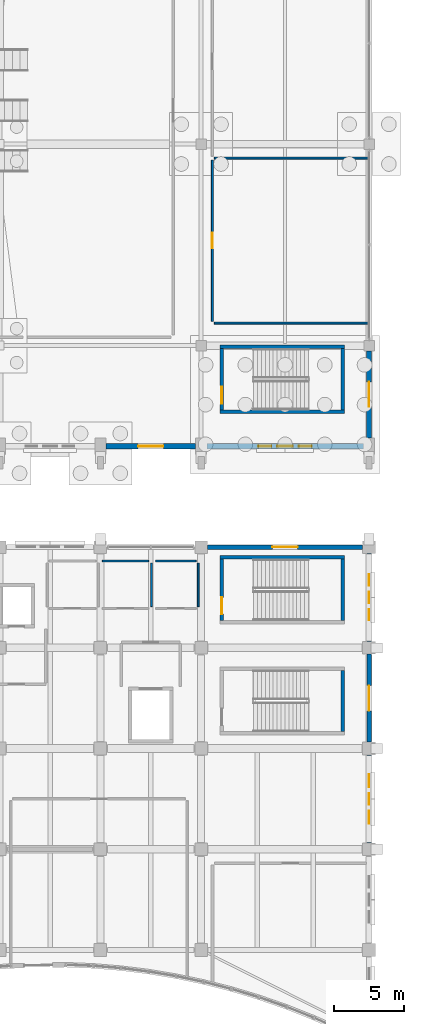
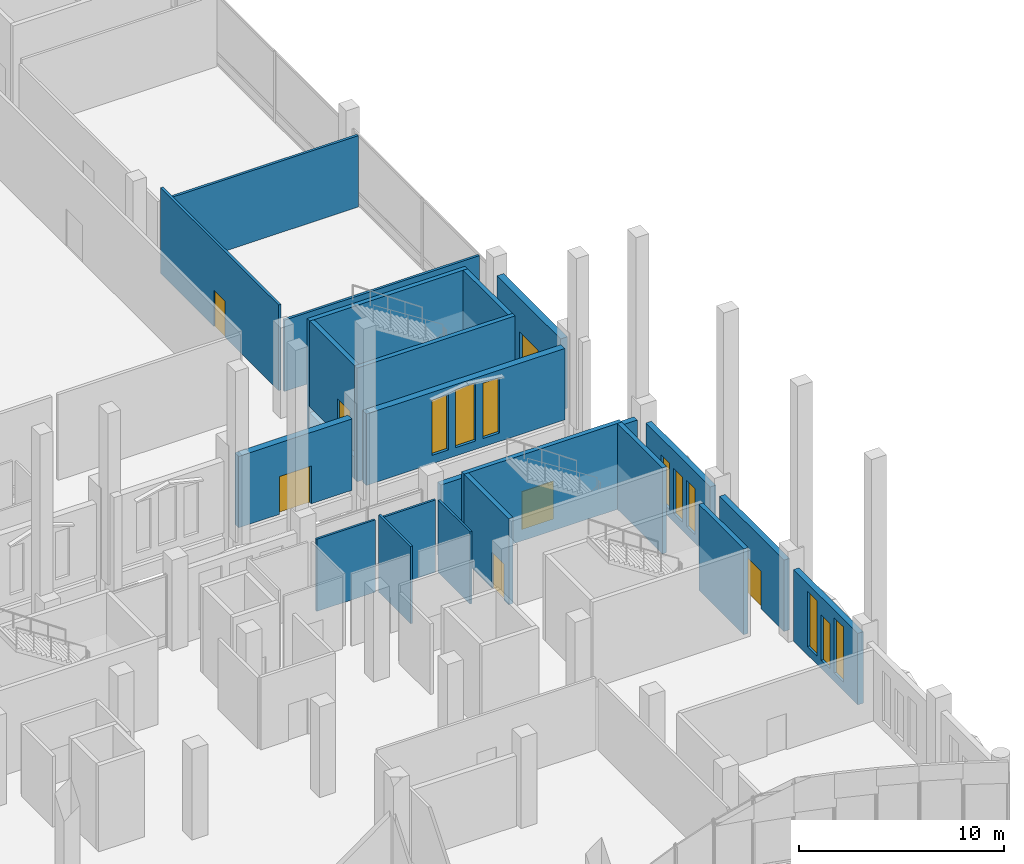
# One storey, part 143 of 192: 23 walls, 9 windows, 7 doors, 16 openings.
"""IFC4 building model written with IfcOpenShell, lengths in metres."""

import ifcopenshell
import ifcopenshell.guid

model = None  # the IFC model being written
_history = None  # IfcOwnerHistory: only IFC2X3 demands one
_inside = {}  # id of a spatial element -> (the spatial element, [elements in it])
_under = {}  # id of a project, library or spatial element -> (it, [spatial elements below it])
_declared = {}  # id of a project -> (the project, [libraries it declares])
_typed = {}  # id of a type object -> (the type object, [elements of that type])
_made_of = {}  # id of a material, layer set ... -> (it, [elements and type objects made of it])


def new_model(schema):
    """Start an empty IFC model of exactly this schema.

    Asked for "IFC4X3", IfcOpenShell would pick the latest addendum, in which some entities
    have other attributes; the version numbers below select the first issue.
    IFC2X3 requires an IfcOwnerHistory on every rooted entity: one is made here for all.
    """
    global model, _history
    if schema == "IFC4X3":
        model = ifcopenshell.file(schema_version=(4, 3, 0, 0))
    else:
        model = ifcopenshell.file(schema=schema)
    _inside.clear()
    _under.clear()
    _declared.clear()
    _typed.clear()
    _made_of.clear()
    _history = None
    if model.schema == "IFC2X3":
        org = make("IfcOrganization", Name="unknown")
        user = make(
            "IfcPersonAndOrganization",
            ThePerson=make("IfcPerson", FamilyName="unknown"),
            TheOrganization=org,
        )
        app = make(
            "IfcApplication",
            ApplicationDeveloper=org,
            Version="unknown",
            ApplicationFullName="unknown",
            ApplicationIdentifier="unknown",
        )
        _history = make(
            "IfcOwnerHistory",
            OwningUser=user,
            OwningApplication=app,
            ChangeAction="ADDED",
            CreationDate=0,
        )
    return model


def make(cls, **values):
    """One entity of the class cls with the attributes given. An attribute that is None is left unset."""
    return model.create_entity(
        cls, **{name: value for name, value in values.items() if value is not None}
    )


def rooted(cls, **values):
    """An entity with a GlobalId (a new one), such as an element, a storey or a relation."""
    return make(cls, GlobalId=ifcopenshell.guid.new(), OwnerHistory=_history, **values)


def si_unit(unit_type, name, prefix=None):
    """IfcSIUnit, for example si_unit("LENGTHUNIT", "METRE", prefix="MILLI")."""
    return make("IfcSIUnit", UnitType=unit_type, Prefix=prefix, Name=name)


def assignment(units):
    """IfcUnitAssignment: the units of a project."""
    return None if units is None else make("IfcUnitAssignment", Units=units)


def point(xyz):
    """IfcCartesianPoint."""
    return None if xyz is None else make("IfcCartesianPoint", Coordinates=xyz)


def direction(xyz):
    """IfcDirection."""
    return None if xyz is None else make("IfcDirection", DirectionRatios=xyz)


def frame(location, z_axis=None, x_axis=None):
    """IfcAxis2Placement3D, a coordinate frame: its origin and axes. An axis left out is left unset."""
    return make(
        "IfcAxis2Placement3D",
        Location=point(location),
        Axis=direction(z_axis),
        RefDirection=direction(x_axis),
    )


def frame_2d(location, x_axis=None):
    """IfcAxis2Placement2D, a coordinate frame in the plane: its origin and x axis."""
    return make(
        "IfcAxis2Placement2D", Location=point(location), RefDirection=direction(x_axis)
    )


def origin():
    """The frame at (0, 0, 0) with its axes left unset."""
    return frame((0.0, 0.0, 0.0))


def place(relative_to, where):
    """IfcLocalPlacement: puts the frame where relative to a parent placement (None: the world)."""
    return make(
        "IfcLocalPlacement", PlacementRelTo=relative_to, RelativePlacement=where
    )


def context(
    kind, dimensions, precision=None, world=None, true_north=None, identifier=None
):
    """IfcGeometricRepresentationContext, for example the 3D "Model" context."""
    return make(
        "IfcGeometricRepresentationContext",
        ContextIdentifier=identifier,
        ContextType=kind,
        CoordinateSpaceDimension=dimensions,
        Precision=precision,
        WorldCoordinateSystem=world,
        TrueNorth=true_north,
    )


def subcontext(parent, identifier, kind, view, scale=None):
    """IfcGeometricRepresentationSubContext, for example "Body" below "Model"."""
    return make(
        "IfcGeometricRepresentationSubContext",
        ContextIdentifier=identifier,
        ContextType=kind,
        ParentContext=parent,
        TargetScale=scale,
        TargetView=view,
    )


def project(units=None, contexts=None):
    """IfcProject with its units and contexts."""
    return rooted(
        "IfcProject",
        Name="project",
        RepresentationContexts=contexts,
        UnitsInContext=assignment(units),
    )


def spatial(cls, under=None, at=None, **own):
    """A site, building, storey or space (cls), placed at a placement, below another one or the project."""
    s = rooted(cls, ObjectPlacement=at, **own)
    if under is not None:
        _under.setdefault(under.id(), (under, []))[1].append(s)
    return s


def profile(cls, at=None, kind="AREA", **sizes):
    """A parametric profile (cls). Its sizes go by their IFC names, for example OverallWidth=200.0."""
    return make(cls, ProfileType=kind, Position=at, **sizes)


def rectangle(**sizes):
    """IfcRectangleProfileDef."""
    return profile("IfcRectangleProfileDef", **sizes)


def extrude(swept, where, along, depth):
    """IfcExtrudedAreaSolid: the profile swept, set in the frame where, extruded along a direction by depth."""
    return make(
        "IfcExtrudedAreaSolid",
        SweptArea=swept,
        Position=where,
        ExtrudedDirection=direction(along),
        Depth=depth,
    )


def shape(context_of_items, identifier, shape_type, items):
    """IfcShapeRepresentation: the items that make up one representation, for example the "Body"."""
    return make(
        "IfcShapeRepresentation",
        ContextOfItems=context_of_items,
        RepresentationIdentifier=identifier,
        RepresentationType=shape_type,
        Items=items,
    )


def material(Name=None, Category=None):
    """IfcMaterial."""
    return make("IfcMaterial", Name=Name, Category=Category)


def layer(
    of_material, thickness, ventilated=None, Name=None, Category=None, Priority=None
):
    """IfcMaterialLayer: one layer of a wall or slab, of a material (None: an air gap)."""
    return make(
        "IfcMaterialLayer",
        Material=of_material,
        LayerThickness=thickness,
        IsVentilated=ventilated,
        Name=Name,
        Category=Category,
        Priority=Priority,
    )


def layer_set(layers, Name=None):
    """IfcMaterialLayerSet."""
    return make("IfcMaterialLayerSet", MaterialLayers=layers, LayerSetName=Name)


def made_of(thing, what):
    """Note that an element or type object is made of a material, layer set ...; save() writes the relation."""
    if what is not None:
        _made_of.setdefault(what.id(), (what, []))[1].append(thing)
    return thing


def type_object(cls, material=None, **own):
    """A type object (cls), such as IfcWallType, which elements share."""
    return made_of(rooted(cls, **own), material)


def element(
    cls,
    number,
    at=None,
    inside=None,
    cuts=None,
    type_object=None,
    material=None,
    context=None,
    identifier="Body",
    shape_type=None,
    held_by="IfcProductDefinitionShape",
    body=None,
    shapes=None,
    **own,
):
    """One element of the class cls, such as IfcWall. Its Tag is "e" and its number.

    at: its placement. inside: the storey or other place that contains it. cuts: it is an
    opening in that element (IfcRelVoidsElement). A single representation is given by context,
    identifier, shape_type and body (its items); several are given by shapes. held_by: the class
    of the entity that holds the representations. save() writes the other relations.
    """
    e = rooted(cls, Tag="e%d" % number, ObjectPlacement=at, **own)
    if body is not None:
        shapes = [shape(context, identifier, shape_type, body)]
    if shapes is not None:
        e.Representation = make(held_by, Representations=shapes)
    if inside is not None:
        _inside.setdefault(inside.id(), (inside, []))[1].append(e)
    if cuts is not None:
        rooted(
            "IfcRelVoidsElement", RelatingBuildingElement=cuts, RelatedOpeningElement=e
        )
    if type_object is not None:
        _typed.setdefault(type_object.id(), (type_object, []))[1].append(e)
    return made_of(e, material)


def fill(opening, filler):
    """IfcRelFillsElement: the door or window that sits in an opening."""
    return rooted(
        "IfcRelFillsElement",
        RelatingOpeningElement=opening,
        RelatedBuildingElement=filler,
    )


def aggregate(whole, parts):
    """IfcRelAggregates: a whole, such as a stair, and the parts it consists of."""
    return rooted("IfcRelAggregates", RelatingObject=whole, RelatedObjects=parts)


def save(model, path):
    """Write the relations noted so far, then the file.

    IfcRelAggregates (storeys below a building ...), IfcRelContainedInSpatialStructure (elements
    in a storey), IfcRelDefinesByType, IfcRelAssociatesMaterial and IfcRelDeclares: one each for
    every whole, place, type object, material and project.
    """
    for whole, parts in _under.values():
        aggregate(whole, parts)
    for where, things in _inside.values():
        rooted(
            "IfcRelContainedInSpatialStructure",
            RelatedElements=things,
            RelatingStructure=where,
        )
    for kind, things in _typed.values():
        rooted("IfcRelDefinesByType", RelatedObjects=things, RelatingType=kind)
    for what, things in _made_of.values():
        rooted("IfcRelAssociatesMaterial", RelatedObjects=things, RelatingMaterial=what)
    for by, libraries in _declared.values():
        rooted("IfcRelDeclares", RelatingContext=by, RelatedDefinitions=libraries)
    model.write(path)


model = new_model("IFC4")

# Units and contexts
model_context = context("Model", 3, precision=1e-05, world=origin(), true_north=direction((0.0, 1.0)))
body_context = subcontext(model_context, "Body", "Model", "MODEL_VIEW")
ifc_project = project(units=[si_unit("LENGTHUNIT", "METRE"), si_unit("AREAUNIT", "SQUARE_METRE"), si_unit("VOLUMEUNIT", "CUBIC_METRE"), si_unit("PLANEANGLEUNIT", "RADIAN"), si_unit("MASSUNIT", "GRAM", prefix="KILO")], contexts=[model_context])

# Site, building, storey
site_placement = place(None, origin())
site = spatial("IfcSite", under=ifc_project, at=site_placement, CompositionType="ELEMENT")
building_placement = place(site_placement, origin())
building = spatial("IfcBuilding", under=site, at=building_placement, Name="Cendralis Lancet Convention Centre", CompositionType="ELEMENT")
storey_placement = place(building_placement, origin())
storey = spatial("IfcBuildingStorey", under=building, at=storey_placement, Name="L00", CompositionType="ELEMENT", Elevation=0.0)

# Wall, opening, door
ifc_material_1 = material(Name="Buff sandstone ashlar and Concrete G40 (C40/50)", Category="masonry")
ifc_layer_1 = layer(ifc_material_1, 0.320068359375, Name="Buff sandstone ashlar and Concrete G40 (C40/50)")
ifc_layer_set_1 = layer_set([ifc_layer_1], Name="Buff sandstone ashlar and Concrete G40 (C40/50)")
wall_type_1 = type_object("IfcWallType", Name="ARC-EW-W320", PredefinedType="STANDARD", material=ifc_layer_set_1)
wall_1_placement = place(storey_placement, frame((197.258056640625, 36.0, 0.0), z_axis=(0.0, 0.0, 1.0), x_axis=(1.0, 0.0, 0.0)))
wall_1 = element("IfcWall", 1, at=wall_1_placement, inside=storey, type_object=wall_type_1, Name="L00 V5 Exterior Wall EW-06 #0252", PredefinedType="STANDARD", context=body_context, shape_type="SweptSolid", body=[
    extrude(rectangle(XDim=11.083984375, YDim=0.320068359375, at=frame_2d((5.5419921875, 0.0))), origin(), (0.0, 0.0, 1.0), 4.35498046875),
])
opening_1_placement = place(wall_1_placement, frame((4.64208984375, 0.0, 0.0)))
opening_1 = element("IfcOpeningElement", 2, at=opening_1_placement, cuts=wall_1, Name="Opening EX-D1", PredefinedType="OPENING", context=body_context, shape_type="SweptSolid", body=[
    extrude(rectangle(XDim=1.800048828125, YDim=2.25, at=frame_2d((0.89990234375, 1.125))), frame((0.0, 0.169921875, 0.0), z_axis=(0.0, -1.0, 0.0), x_axis=(1.0, 0.0, 0.0)), (0.0, 0.0, 1.0), 0.340087890625),
])
ifc_material_2 = material(Name="Anodised bronze architectural aluminium", Category="aluminium")
door_type_1 = type_object("IfcDoorType", Name="ARC-DR-EX18", OperationType="NOTDEFINED", PredefinedType="DOOR", material=ifc_material_2)
door_1_placement = place(opening_1_placement, origin())
door_1 = element("IfcDoor", 3, at=door_1_placement, inside=storey, type_object=door_type_1, Name="L00-D049 Pedestrian Final Exit Door EX-54 #054", OperationType="DOUBLE_DOOR_SINGLE_SWING", OverallHeight=2.25, OverallWidth=1.800048828125, PredefinedType="DOOR", context=body_context, shape_type="SweptSolid", body=[
    extrude(rectangle(XDim=1.800048828125, YDim=2.25, at=frame_2d((0.89990234375, 1.125))), frame((0.0, 0.02490234375, 0.0), z_axis=(0.0, -1.0, 0.0), x_axis=(1.0, 0.0, 0.0)), (0.0, 0.0, 1.0), 0.050048828125),
])
fill(opening_1, door_1)

# Wall, openings, windows
wall_2_placement = place(storey_placement, frame((208.800048828125, 21.14208984375, 0.0), z_axis=(0.0, 0.0, 1.0), x_axis=(0.0, -1.0, 0.0)))
wall_2 = element("IfcWall", 4, at=wall_2_placement, inside=storey, type_object=wall_type_1, Name="L00 V5 Exterior Wall EW-06 #0255", PredefinedType="STANDARD", context=body_context, shape_type="SweptSolid", body=[
    extrude(rectangle(XDim=6.2841796875, YDim=0.320068359375, at=frame_2d((3.14208984375, 0.0))), origin(), (0.0, 0.0, 1.0), 4.2548828125),
])
opening_2_placement = place(wall_2_placement, frame((1.382080078125, 0.0, 0.5)))
opening_2 = element("IfcOpeningElement", 5, at=opening_2_placement, cuts=wall_2, Name="Opening WN-04", PredefinedType="OPENING", context=body_context, shape_type="SweptSolid", body=[
    extrude(rectangle(XDim=0.919921875, YDim=3.300048828125, at=frame_2d((0.4599609375, 1.64990234375))), frame((0.0, 0.169921875, 0.0), z_axis=(0.0, -1.0, 0.0), x_axis=(1.0, 0.0, 0.0)), (0.0, 0.0, 1.0), 0.340087890625),
])
opening_3_placement = place(wall_2_placement, frame((2.721923828125, 0.0, 0.5)))
opening_3 = element("IfcOpeningElement", 6, at=opening_3_placement, cuts=wall_2, Name="Opening WN-15", PredefinedType="OPENING", context=body_context, shape_type="SweptSolid", body=[
    extrude(rectangle(XDim=0.840087890625, YDim=2.699951171875, at=frame_2d((0.419921875, 1.35009765625))), frame((0.0, 0.169921875, 0.0), z_axis=(0.0, -1.0, 0.0), x_axis=(1.0, 0.0, 0.0)), (0.0, 0.0, 1.0), 0.340087890625),
])
opening_4_placement = place(wall_2_placement, frame((3.98193359375, 0.0, 0.5)))
opening_4 = element("IfcOpeningElement", 7, at=opening_4_placement, cuts=wall_2, Name="Opening WN-04", PredefinedType="OPENING", context=body_context, shape_type="SweptSolid", body=[
    extrude(rectangle(XDim=0.919921875, YDim=3.300048828125, at=frame_2d((0.4599609375, 1.64990234375))), frame((0.0, 0.169921875, 0.0), z_axis=(0.0, -1.0, 0.0), x_axis=(1.0, 0.0, 0.0)), (0.0, 0.0, 1.0), 0.340087890625),
])
ifc_material_3 = material(Name="Double-glazed low-E solar-control glass", Category="glass")
window_type_1 = type_object("IfcWindowType", Name="ARC-WN-LW04", PartitioningType="SINGLE_PANEL", PredefinedType="WINDOW", material=ifc_material_3)
window_1_placement = place(opening_2_placement, origin())
window_1 = element("IfcWindow", 8, at=window_1_placement, inside=storey, type_object=window_type_1, Name="Gothic Lancet Window WN-04 #0487", OverallHeight=3.300048828125, OverallWidth=0.919921875, PartitioningType="SINGLE_PANEL", PredefinedType="WINDOW", context=body_context, shape_type="SweptSolid", body=[
    extrude(rectangle(XDim=0.919921875, YDim=3.300048828125, at=frame_2d((0.4599609375, 1.64990234375))), frame((0.0, 0.030029296875, 0.0), z_axis=(0.0, -1.0, 0.0), x_axis=(1.0, 0.0, 0.0)), (0.0, 0.0, 1.0), 0.06005859375),
])
fill(opening_2, window_1)
window_2_placement = place(opening_4_placement, origin())
window_2 = element("IfcWindow", 9, at=window_2_placement, inside=storey, type_object=window_type_1, Name="Gothic Lancet Window WN-04 #0489", OverallHeight=3.300048828125, OverallWidth=0.919921875, PartitioningType="SINGLE_PANEL", PredefinedType="WINDOW", context=body_context, shape_type="SweptSolid", body=[
    extrude(rectangle(XDim=0.919921875, YDim=3.300048828125, at=frame_2d((0.4599609375, 1.64990234375))), frame((0.0, 0.030029296875, 0.0), z_axis=(0.0, -1.0, 0.0), x_axis=(1.0, 0.0, 0.0)), (0.0, 0.0, 1.0), 0.06005859375),
])
fill(opening_4, window_2)
window_type_2 = type_object("IfcWindowType", Name="ARC-WN-LW15", PartitioningType="SINGLE_PANEL", PredefinedType="WINDOW", material=ifc_material_3)
window_3_placement = place(opening_3_placement, origin())
window_3 = element("IfcWindow", 10, at=window_3_placement, inside=storey, type_object=window_type_2, Name="Gothic Lancet Window WN-15 #0488", OverallHeight=2.699951171875, OverallWidth=0.840087890625, PartitioningType="SINGLE_PANEL", PredefinedType="WINDOW", context=body_context, shape_type="SweptSolid", body=[
    extrude(rectangle(XDim=0.840087890625, YDim=2.699951171875, at=frame_2d((0.419921875, 1.35009765625))), frame((0.0, 0.030029296875, 0.0), z_axis=(0.0, -1.0, 0.0), x_axis=(1.0, 0.0, 0.0)), (0.0, 0.0, 1.0), 0.06005859375),
])
fill(opening_3, window_3)

# Wall, opening, door
wall_3_placement = place(storey_placement, frame((208.800048828125, 28.342041015625, 0.0), z_axis=(0.0, 0.0, 1.0), x_axis=(0.0, -1.0, 0.0)))
wall_3 = element("IfcWall", 11, at=wall_3_placement, inside=storey, type_object=wall_type_1, Name="L00 V5 Exterior Wall EW-06 #0256", PredefinedType="STANDARD", context=body_context, shape_type="SweptSolid", body=[
    extrude(rectangle(XDim=6.283935546875, YDim=0.320068359375, at=frame_2d((3.14208984375, 0.0))), origin(), (0.0, 0.0, 1.0), 4.2548828125),
])
opening_5_placement = place(wall_3_placement, frame((2.241943359375, 0.0, 0.0)))
opening_5 = element("IfcOpeningElement", 12, at=opening_5_placement, cuts=wall_3, Name="Opening EX-D1", PredefinedType="OPENING", context=body_context, shape_type="SweptSolid", body=[
    extrude(rectangle(XDim=1.800048828125, YDim=2.25, at=frame_2d((0.89990234375, 1.125))), frame((0.0, 0.169921875, 0.0), z_axis=(0.0, -1.0, 0.0), x_axis=(1.0, 0.0, 0.0)), (0.0, 0.0, 1.0), 0.340087890625),
])
door_2_placement = place(opening_5_placement, origin())
door_2 = element("IfcDoor", 13, at=door_2_placement, inside=storey, type_object=door_type_1, Name="L00-D050 Pedestrian Final Exit Door EX-55 #055", OperationType="DOUBLE_DOOR_SINGLE_SWING", OverallHeight=2.25, OverallWidth=1.800048828125, PredefinedType="DOOR", context=body_context, shape_type="SweptSolid", body=[
    extrude(rectangle(XDim=1.800048828125, YDim=2.25, at=frame_2d((0.89990234375, 1.125))), frame((0.0, 0.02490234375, 0.0), z_axis=(0.0, -1.0, 0.0), x_axis=(1.0, 0.0, 0.0)), (0.0, 0.0, 1.0), 0.050048828125),
])
fill(opening_5, door_2)

# Wall, openings, windows
wall_4_placement = place(storey_placement, frame((208.800048828125, 35.5419921875, 0.0), z_axis=(0.0, 0.0, 1.0), x_axis=(0.0, -1.0, 0.0)))
wall_4 = element("IfcWall", 14, at=wall_4_placement, inside=storey, type_object=wall_type_1, Name="L00 V5 Exterior Wall EW-06 #0257", PredefinedType="STANDARD", context=body_context, shape_type="SweptSolid", body=[
    extrude(rectangle(XDim=6.283935546875, YDim=0.320068359375, at=frame_2d((3.14208984375, 0.0))), origin(), (0.0, 0.0, 1.0), 4.2548828125),
])
opening_6_placement = place(wall_4_placement, frame((1.501953125, 0.0, 0.5)))
opening_6 = element("IfcOpeningElement", 15, at=opening_6_placement, cuts=wall_4, Name="Opening WN-07", PredefinedType="OPENING", context=body_context, shape_type="SweptSolid", body=[
    extrude(rectangle(XDim=0.800048828125, YDim=2.75, at=frame_2d((0.39990234375, 1.375))), frame((0.0, 0.169921875, 0.0), z_axis=(0.0, -1.0, 0.0), x_axis=(1.0, 0.0, 0.0)), (0.0, 0.0, 1.0), 0.340087890625),
])
opening_7_placement = place(wall_4_placement, frame((2.721923828125, 0.0, 0.5)))
opening_7 = element("IfcOpeningElement", 16, at=opening_7_placement, cuts=wall_4, Name="Opening WN-15", PredefinedType="OPENING", context=body_context, shape_type="SweptSolid", body=[
    extrude(rectangle(XDim=0.840087890625, YDim=2.699951171875, at=frame_2d((0.419921875, 1.35009765625))), frame((0.0, 0.169921875, 0.0), z_axis=(0.0, -1.0, 0.0), x_axis=(1.0, 0.0, 0.0)), (0.0, 0.0, 1.0), 0.340087890625),
])
opening_8_placement = place(wall_4_placement, frame((3.98193359375, 0.0, 0.5)))
opening_8 = element("IfcOpeningElement", 17, at=opening_8_placement, cuts=wall_4, Name="Opening WN-07", PredefinedType="OPENING", context=body_context, shape_type="SweptSolid", body=[
    extrude(rectangle(XDim=0.800048828125, YDim=2.75, at=frame_2d((0.39990234375, 1.375))), frame((0.0, 0.169921875, 0.0), z_axis=(0.0, -1.0, 0.0), x_axis=(1.0, 0.0, 0.0)), (0.0, 0.0, 1.0), 0.340087890625),
])
window_type_3 = type_object("IfcWindowType", Name="ARC-WN-LW07", PartitioningType="SINGLE_PANEL", PredefinedType="WINDOW", material=ifc_material_3)
window_4_placement = place(opening_6_placement, origin())
window_4 = element("IfcWindow", 18, at=window_4_placement, inside=storey, type_object=window_type_3, Name="Gothic Lancet Window WN-07 #0490", OverallHeight=2.75, OverallWidth=0.800048828125, PartitioningType="SINGLE_PANEL", PredefinedType="WINDOW", context=body_context, shape_type="SweptSolid", body=[
    extrude(rectangle(XDim=0.800048828125, YDim=2.75, at=frame_2d((0.39990234375, 1.375))), frame((0.0, 0.030029296875, 0.0), z_axis=(0.0, -1.0, 0.0), x_axis=(1.0, 0.0, 0.0)), (0.0, 0.0, 1.0), 0.06005859375),
])
fill(opening_6, window_4)
window_5_placement = place(opening_8_placement, origin())
window_5 = element("IfcWindow", 19, at=window_5_placement, inside=storey, type_object=window_type_3, Name="Gothic Lancet Window WN-07 #0492", OverallHeight=2.75, OverallWidth=0.800048828125, PartitioningType="SINGLE_PANEL", PredefinedType="WINDOW", context=body_context, shape_type="SweptSolid", body=[
    extrude(rectangle(XDim=0.800048828125, YDim=2.75, at=frame_2d((0.39990234375, 1.375))), frame((0.0, 0.030029296875, 0.0), z_axis=(0.0, -1.0, 0.0), x_axis=(1.0, 0.0, 0.0)), (0.0, 0.0, 1.0), 0.06005859375),
])
fill(opening_8, window_5)
window_6_placement = place(opening_7_placement, origin())
window_6 = element("IfcWindow", 20, at=window_6_placement, inside=storey, type_object=window_type_2, Name="Gothic Lancet Window WN-15 #0491", OverallHeight=2.699951171875, OverallWidth=0.840087890625, PartitioningType="SINGLE_PANEL", PredefinedType="WINDOW", context=body_context, shape_type="SweptSolid", body=[
    extrude(rectangle(XDim=0.840087890625, YDim=2.699951171875, at=frame_2d((0.419921875, 1.35009765625))), frame((0.0, 0.030029296875, 0.0), z_axis=(0.0, -1.0, 0.0), x_axis=(1.0, 0.0, 0.0)), (0.0, 0.0, 1.0), 0.06005859375),
])
fill(opening_7, window_6)

# Wall, opening, door
ifc_layer_2 = layer(ifc_material_1, 0.3798828125, Name="Buff sandstone ashlar and Concrete G40 (C40/50)")
ifc_layer_set_2 = layer_set([ifc_layer_2], Name="Buff sandstone ashlar and Concrete G40 (C40/50)")
wall_type_2 = type_object("IfcWallType", Name="ARC-EW-W380", PredefinedType="STANDARD", material=ifc_layer_set_2)
wall_5_placement = place(storey_placement, frame((196.39208984375, 43.199951171875, 0.0), z_axis=(0.0, 0.0, 1.0), x_axis=(-1.0, 0.0, 0.0)))
wall_5 = element("IfcWall", 21, at=wall_5_placement, inside=storey, type_object=wall_type_2, Name="L00 V2 Exterior Wall EW-03 #0074", PredefinedType="STANDARD", context=body_context, shape_type="SweptSolid", body=[
    extrude(rectangle(XDim=6.384033203125, YDim=0.3798828125, at=frame_2d((3.19189453125, 0.0))), origin(), (0.0, 0.0, 1.0), 4.2548828125),
])
opening_9_placement = place(wall_5_placement, frame((2.2919921875, 0.0, 0.0)))
opening_9 = element("IfcOpeningElement", 22, at=opening_9_placement, cuts=wall_5, Name="Opening EX-D1", PredefinedType="OPENING", context=body_context, shape_type="SweptSolid", body=[
    extrude(rectangle(XDim=1.800048828125, YDim=2.25, at=frame_2d((0.89990234375, 1.125))), frame((0.0, 0.199951171875, 0.0), z_axis=(0.0, -1.0, 0.0), x_axis=(1.0, 0.0, 0.0)), (0.0, 0.0, 1.0), 0.39990234375),
])
door_3_placement = place(opening_9_placement, origin())
door_3 = element("IfcDoor", 23, at=door_3_placement, inside=storey, type_object=door_type_1, Name="L00-D029 Pedestrian Final Exit Door EX-29 #029", OperationType="DOUBLE_DOOR_SINGLE_SWING", OverallHeight=2.25, OverallWidth=1.800048828125, PredefinedType="DOOR", context=body_context, shape_type="SweptSolid", body=[
    extrude(rectangle(XDim=1.800048828125, YDim=2.25, at=frame_2d((0.89990234375, 1.125))), frame((0.0, 0.02490234375, 0.0), z_axis=(0.0, -1.0, 0.0), x_axis=(1.0, 0.0, 0.0)), (0.0, 0.0, 1.0), 0.050048828125),
])
fill(opening_9, door_3)

# Wall, openings, windows
wall_6_placement = place(storey_placement, frame((208.39208984375, 43.199951171875, 0.0), z_axis=(0.0, 0.0, 1.0), x_axis=(-1.0, 0.0, 0.0)))
wall_6 = element("IfcWall", 24, at=wall_6_placement, inside=storey, type_object=wall_type_2, Name="L00 V2 Exterior Wall EW-03 #0075", PredefinedType="STANDARD", context=body_context, shape_type="SweptSolid", body=[
    extrude(rectangle(XDim=11.18408203125, YDim=0.3798828125, at=frame_2d((5.592041015625, 0.0))), origin(), (0.0, 0.0, 1.0), 4.2548828125),
])
opening_10_placement = place(wall_6_placement, frame((3.69189453125, 0.0, 0.5)))
opening_10 = element("IfcOpeningElement", 25, at=opening_10_placement, cuts=wall_6, Name="Opening WN-04", PredefinedType="OPENING", context=body_context, shape_type="SweptSolid", body=[
    extrude(rectangle(XDim=0.919921875, YDim=3.300048828125, at=frame_2d((0.4599609375, 1.64990234375))), frame((0.0, 0.199951171875, 0.0), z_axis=(0.0, -1.0, 0.0), x_axis=(1.0, 0.0, 0.0)), (0.0, 0.0, 1.0), 0.39990234375),
])
opening_11_placement = place(wall_6_placement, frame((5.031982421875, 0.0, 0.5)))
opening_11 = element("IfcOpeningElement", 26, at=opening_11_placement, cuts=wall_6, Name="Opening WN-12", PredefinedType="OPENING", context=body_context, shape_type="SweptSolid", body=[
    extrude(rectangle(XDim=1.1201171875, YDim=3.449951171875, at=frame_2d((0.56005859375, 1.72509765625))), frame((0.0, 0.199951171875, 0.0), z_axis=(0.0, -1.0, 0.0), x_axis=(1.0, 0.0, 0.0)), (0.0, 0.0, 1.0), 0.39990234375),
])
opening_12_placement = place(wall_6_placement, frame((6.572021484375, 0.0, 0.5)))
opening_12 = element("IfcOpeningElement", 27, at=opening_12_placement, cuts=wall_6, Name="Opening WN-04", PredefinedType="OPENING", context=body_context, shape_type="SweptSolid", body=[
    extrude(rectangle(XDim=0.919921875, YDim=3.300048828125, at=frame_2d((0.4599609375, 1.64990234375))), frame((0.0, 0.199951171875, 0.0), z_axis=(0.0, -1.0, 0.0), x_axis=(1.0, 0.0, 0.0)), (0.0, 0.0, 1.0), 0.39990234375),
])
window_7_placement = place(opening_10_placement, origin())
window_7 = element("IfcWindow", 28, at=window_7_placement, inside=storey, type_object=window_type_1, Name="Gothic Lancet Window WN-04 #0121", OverallHeight=3.300048828125, OverallWidth=0.919921875, PartitioningType="SINGLE_PANEL", PredefinedType="WINDOW", context=body_context, shape_type="SweptSolid", body=[
    extrude(rectangle(XDim=0.919921875, YDim=3.300048828125, at=frame_2d((0.4599609375, 1.64990234375))), frame((0.0, 0.030029296875, 0.0), z_axis=(0.0, -1.0, 0.0), x_axis=(1.0, 0.0, 0.0)), (0.0, 0.0, 1.0), 0.06005859375),
])
fill(opening_10, window_7)
window_8_placement = place(opening_12_placement, origin())
window_8 = element("IfcWindow", 29, at=window_8_placement, inside=storey, type_object=window_type_1, Name="Gothic Lancet Window WN-04 #0123", OverallHeight=3.300048828125, OverallWidth=0.919921875, PartitioningType="SINGLE_PANEL", PredefinedType="WINDOW", context=body_context, shape_type="SweptSolid", body=[
    extrude(rectangle(XDim=0.919921875, YDim=3.300048828125, at=frame_2d((0.4599609375, 1.64990234375))), frame((0.0, 0.030029296875, 0.0), z_axis=(0.0, -1.0, 0.0), x_axis=(1.0, 0.0, 0.0)), (0.0, 0.0, 1.0), 0.06005859375),
])
fill(opening_12, window_8)
window_type_4 = type_object("IfcWindowType", Name="ARC-WN-LW12", PartitioningType="SINGLE_PANEL", PredefinedType="WINDOW", material=ifc_material_3)
window_9_placement = place(opening_11_placement, origin())
window_9 = element("IfcWindow", 30, at=window_9_placement, inside=storey, type_object=window_type_4, Name="Gothic Lancet Window WN-12 #0122", OverallHeight=3.449951171875, OverallWidth=1.1201171875, PartitioningType="SINGLE_PANEL", PredefinedType="WINDOW", context=body_context, shape_type="SweptSolid", body=[
    extrude(rectangle(XDim=1.1201171875, YDim=3.449951171875, at=frame_2d((0.56005859375, 1.72509765625))), frame((0.0, 0.030029296875, 0.0), z_axis=(0.0, -1.0, 0.0), x_axis=(1.0, 0.0, 0.0)), (0.0, 0.0, 1.0), 0.06005859375),
])
fill(opening_11, window_9)

# Wall, opening, door
wall_7_placement = place(storey_placement, frame((208.800048828125, 50.01708984375, 0.0), z_axis=(0.0, 0.0, 1.0), x_axis=(0.0, -1.0, 0.0)))
wall_7 = element("IfcWall", 31, at=wall_7_placement, inside=storey, type_object=wall_type_2, Name="L00 V2 Exterior Wall EW-03 #0087", PredefinedType="STANDARD", context=body_context, shape_type="SweptSolid", body=[
    extrude(rectangle(XDim=6.208984375, YDim=0.3798828125, at=frame_2d((3.1044921875, 0.0))), origin(), (0.0, 0.0, 1.0), 4.2548828125),
])
opening_13_placement = place(wall_7_placement, frame((2.20458984375, 0.0, 0.0)))
opening_13 = element("IfcOpeningElement", 32, at=opening_13_placement, cuts=wall_7, Name="Opening EX-D1", PredefinedType="OPENING", context=body_context, shape_type="SweptSolid", body=[
    extrude(rectangle(XDim=1.800048828125, YDim=2.25, at=frame_2d((0.89990234375, 1.125))), frame((0.0, 0.199951171875, 0.0), z_axis=(0.0, -1.0, 0.0), x_axis=(1.0, 0.0, 0.0)), (0.0, 0.0, 1.0), 0.39990234375),
])
door_4_placement = place(opening_13_placement, origin())
door_4 = element("IfcDoor", 33, at=door_4_placement, inside=storey, type_object=door_type_1, Name="L00-D032 Pedestrian Final Exit Door EX-32 #032", OperationType="DOUBLE_DOOR_SINGLE_SWING", OverallHeight=2.25, OverallWidth=1.800048828125, PredefinedType="DOOR", context=body_context, shape_type="SweptSolid", body=[
    extrude(rectangle(XDim=1.800048828125, YDim=2.25, at=frame_2d((0.89990234375, 1.125))), frame((0.0, 0.02490234375, 0.0), z_axis=(0.0, -1.0, 0.0), x_axis=(1.0, 0.0, 0.0)), (0.0, 0.0, 1.0), 0.050048828125),
])
fill(opening_13, door_4)

# Walls
ifc_material_4 = material(Name="Acoustic fire-rated gypsum board on steel studs", Category="steel")
ifc_layer_3 = layer(ifc_material_4, 0.1201171875, Name="Acoustic fire-rated gypsum board on steel studs")
ifc_layer_set_3 = layer_set([ifc_layer_3], Name="Acoustic fire-rated gypsum board on steel studs")
wall_type_3 = type_object("IfcWallType", Name="ARC-IW-P120", PredefinedType="PARTITIONING", material=ifc_layer_set_3)
wall_8_placement = place(storey_placement, frame((189.75, 35.0, 0.0), z_axis=(0.0, 0.0, 1.0), x_axis=(1.0, 0.0, 0.0)))
element("IfcWall", 34, at=wall_8_placement, inside=storey, type_object=wall_type_3, Name="L00 Interior Partition IW-05 #0362", PredefinedType="PARTITIONING", context=body_context, shape_type="SweptSolid", body=[
    extrude(rectangle(XDim=3.300048828125, YDim=0.1201171875, at=frame_2d((1.64990234375, 0.0))), origin(), (0.0, 0.0, 1.0), 4.304931640625),
])
wall_9_placement = place(storey_placement, frame((193.25, 31.739990234375, 0.0), z_axis=(0.0, 0.0, 1.0), x_axis=(0.0, 1.0, 0.0)))
element("IfcWall", 35, at=wall_9_placement, inside=storey, type_object=wall_type_3, Name="L00 Interior Partition IW-05 #0363", PredefinedType="PARTITIONING", context=body_context, shape_type="SweptSolid", body=[
    extrude(rectangle(XDim=3.1201171875, YDim=0.1201171875, at=frame_2d((1.56005859375, 0.0))), origin(), (0.0, 0.0, 1.0), 4.60498046875),
])
wall_10_placement = place(storey_placement, frame((193.550048828125, 35.0, 0.0), z_axis=(0.0, 0.0, 1.0), x_axis=(1.0, 0.0, 0.0)))
element("IfcWall", 36, at=wall_10_placement, inside=storey, type_object=wall_type_3, Name="L00 Interior Partition IW-05 #0365", PredefinedType="PARTITIONING", context=body_context, shape_type="SweptSolid", body=[
    extrude(rectangle(XDim=2.89990234375, YDim=0.1201171875, at=frame_2d((1.449951171875, 0.0))), origin(), (0.0, 0.0, 1.0), 4.304931640625),
])
wall_11_placement = place(storey_placement, frame((196.60009765625, 31.739990234375, 0.0), z_axis=(0.0, 0.0, 1.0), x_axis=(0.0, 1.0, 0.0)))
element("IfcWall", 37, at=wall_11_placement, inside=storey, type_object=wall_type_3, Name="L00 Interior Partition IW-05 #0366", PredefinedType="PARTITIONING", context=body_context, shape_type="SweptSolid", body=[
    extrude(rectangle(XDim=3.1201171875, YDim=0.1201171875, at=frame_2d((1.56005859375, 0.0))), origin(), (0.0, 0.0, 1.0), 4.304931640625),
])
ifc_layer_4 = layer(ifc_material_4, 0.139892578125, Name="Acoustic fire-rated gypsum board on steel studs")
ifc_layer_set_4 = layer_set([ifc_layer_4], Name="Acoustic fire-rated gypsum board on steel studs")
wall_type_4 = type_object("IfcWallType", Name="ARC-IW-P140", PredefinedType="PARTITIONING", material=ifc_layer_set_4)
for number, where, z_axis, x_axis, name in (
    (38, (197.739990234375, 52.0, 0.0), (0.0, 0.0, 1.0), (1.0, 0.0, 0.0), "L00 Interior Partition IW-04 #0061"),
    (39, (197.739990234375, 63.800048828125, 0.0), (0.0, 0.0, 1.0), (1.0, 0.0, 0.0), "L00 Interior Partition IW-04 #0062"),
):
    element("IfcWall", number, at=place(storey_placement, frame(where, z_axis=z_axis, x_axis=x_axis)), inside=storey, type_object=wall_type_4, Name=name, PredefinedType="PARTITIONING", context=body_context, shape_type="SweptSolid", body=[
        extrude(rectangle(XDim=10.97998046875, YDim=0.139892578125, at=frame_2d((5.489990234375, 0.0))), origin(), (0.0, 0.0, 1.0), 4.2548828125),
    ])

# Wall, opening, door
wall_12_placement = place(storey_placement, frame((197.60009765625, 52.139892578125, 0.0), z_axis=(0.0, 0.0, 1.0), x_axis=(0.0, 1.0, 0.0)))
wall_12 = element("IfcWall", 40, at=wall_12_placement, inside=storey, type_object=wall_type_4, Name="L00 Interior Partition IW-04 #0063", PredefinedType="PARTITIONING", context=body_context, shape_type="SweptSolid", body=[
    extrude(rectangle(XDim=11.52001953125, YDim=0.139892578125, at=frame_2d((5.760009765625, 0.0))), origin(), (0.0, 0.0, 1.0), 5.10498046875),
])
opening_14_placement = place(wall_12_placement, frame((5.2099609375, 0.0, 0.0)))
opening_14 = element("IfcOpeningElement", 41, at=opening_14_placement, cuts=wall_12, Name="Opening FD-11", PredefinedType="OPENING", context=body_context, shape_type="SweptSolid", body=[
    extrude(rectangle(XDim=1.10009765625, YDim=2.14990234375, at=frame_2d((0.550048828125, 1.074951171875))), frame((0.0, 0.079833984375, 0.0), z_axis=(0.0, -1.0, 0.0), x_axis=(1.0, 0.0, 0.0)), (0.0, 0.0, 1.0), 0.159912109375),
])
ifc_material_5 = material(Name="Steel S355", Category="steel")
door_type_2 = type_object("IfcDoorType", Name="ARC-DR-FF11", OperationType="NOTDEFINED", PredefinedType="DOOR", material=ifc_material_5)
door_5_placement = place(opening_14_placement, origin())
door_5 = element("IfcDoor", 42, at=door_5_placement, inside=storey, type_object=door_type_2, Name="L00-D060 L00 Interior Door FD-11 #0020", OperationType="SINGLE_SWING_LEFT", OverallHeight=2.14990234375, OverallWidth=1.10009765625, PredefinedType="DOOR", context=body_context, shape_type="SweptSolid", body=[
    extrude(rectangle(XDim=1.10009765625, YDim=2.14990234375, at=frame_2d((0.550048828125, 1.074951171875))), frame((0.0, 0.02490234375, 0.0), z_axis=(0.0, -1.0, 0.0), x_axis=(1.0, 0.0, 0.0)), (0.0, 0.0, 1.0), 0.050048828125),
])
fill(opening_14, door_5)

# Wall
ifc_material_6 = material(Name="Concrete G40 (C40/50)", Category="concrete")
ifc_layer_5 = layer(ifc_material_6, 0.25, Name="Concrete G40 (C40/50)")
ifc_layer_set_5 = layer_set([ifc_layer_5], Name="Concrete G40 (C40/50)")
wall_type_5 = type_object("IfcWallType", Name="STR-SW-CW250", PredefinedType="SHEAR", material=ifc_layer_set_5)
wall_13_placement = place(storey_placement, frame((198.27490234375, 45.800048828125, -1.64990234375), z_axis=(0.0, 0.0, 1.0), x_axis=(0.0, 1.0, 0.0)))
element("IfcWall", 43, at=wall_13_placement, inside=storey, type_object=wall_type_5, Name="L00 Stair Core ST-09 West Base Stem", PredefinedType="SHEAR", context=body_context, shape_type="SweptSolid", body=[
    extrude(rectangle(XDim=4.3798828125, YDim=0.25, at=frame_2d((2.18994140625, 0.0))), origin(), (0.0, 0.0, 1.0), 1.309814453125),
])

# Wall, opening, door
wall_14_placement = place(storey_placement, frame((198.27490234375, 45.800048828125, 0.0), z_axis=(0.0, 0.0, 1.0), x_axis=(0.0, 1.0, 0.0)))
wall_14 = element("IfcWall", 44, at=wall_14_placement, inside=storey, type_object=wall_type_5, Name="L00 Stair Core ST-09 West Shear Wall", PredefinedType="SHEAR", context=body_context, shape_type="SweptSolid", body=[
    extrude(rectangle(XDim=4.3798828125, YDim=0.25, at=frame_2d((2.18994140625, 0.0))), origin(), (0.0, 0.0, 1.0), 5.1201171875),
])
opening_15_placement = place(wall_14_placement, frame((0.449951171875, 0.0, 0.0)))
opening_15 = element("IfcOpeningElement", 45, at=opening_15_placement, cuts=wall_14, Name="Opening SD-12", PredefinedType="OPENING", context=body_context, shape_type="SweptSolid", body=[
    extrude(rectangle(XDim=1.199951171875, YDim=2.14990234375, at=frame_2d((0.60009765625, 1.074951171875))), frame((0.0, 0.135009765625, 0.0), z_axis=(0.0, -1.0, 0.0), x_axis=(1.0, 0.0, 0.0)), (0.0, 0.0, 1.0), 0.27001953125),
])
door_type_3 = type_object("IfcDoorType", Name="ARC-DR-ST12", OperationType="NOTDEFINED", PredefinedType="DOOR", material=ifc_material_5)
door_6_placement = place(opening_15_placement, origin())
door_6 = element("IfcDoor", 46, at=door_6_placement, inside=storey, type_object=door_type_3, Name="L00-D126 L00 Exit Stair ST-09 Fire Door", OperationType="SINGLE_SWING_LEFT", OverallHeight=2.14990234375, OverallWidth=1.199951171875, PredefinedType="DOOR", context=body_context, shape_type="SweptSolid", body=[
    extrude(rectangle(XDim=1.199951171875, YDim=2.14990234375, at=frame_2d((0.60009765625, 1.074951171875))), frame((0.0, 0.02490234375, 0.0), z_axis=(0.0, -1.0, 0.0), x_axis=(1.0, 0.0, 0.0)), (0.0, 0.0, 1.0), 0.050048828125),
])
fill(opening_15, door_6)

# Walls
wall_15_placement = place(storey_placement, frame((206.925048828125, 45.800048828125, -1.64990234375), z_axis=(0.0, 0.0, 1.0), x_axis=(0.0, 1.0, 0.0)))
element("IfcWall", 47, at=wall_15_placement, inside=storey, type_object=wall_type_5, Name="L00 Stair Core ST-09 East Shear Wall", PredefinedType="SHEAR", context=body_context, shape_type="SweptSolid", body=[
    extrude(rectangle(XDim=4.3798828125, YDim=0.25, at=frame_2d((2.18994140625, 0.0))), origin(), (0.0, 0.0, 1.0), 6.77001953125),
])
for number, where, z_axis, x_axis, name in (
    (48, (198.14990234375, 45.675048828125, -1.64990234375), (0.0, 0.0, 1.0), (1.0, 0.0, 0.0), "L00 Stair Core ST-09 South Shear Wall"),
    (49, (198.14990234375, 50.304931640625, -1.64990234375), (0.0, 0.0, 1.0), (1.0, 0.0, 0.0), "L00 Stair Core ST-09 North Shear Wall"),
):
    element("IfcWall", number, at=place(storey_placement, frame(where, z_axis=z_axis, x_axis=x_axis)), inside=storey, type_object=wall_type_5, Name=name, PredefinedType="SHEAR", context=body_context, shape_type="SweptSolid", body=[
        extrude(rectangle(XDim=8.900146484375, YDim=0.25, at=frame_2d((4.4501953125, 0.0))), origin(), (0.0, 0.0, 1.0), 6.77001953125),
    ])
wall_16_placement = place(storey_placement, frame((206.925048828125, 22.800048828125, 0.0), z_axis=(0.0, 0.0, 1.0), x_axis=(0.0, 1.0, 0.0)))
element("IfcWall", 50, at=wall_16_placement, inside=storey, type_object=wall_type_5, Name="L00 Stair Core ST-15 East Shear Wall", PredefinedType="SHEAR", context=body_context, shape_type="SweptSolid", body=[
    extrude(rectangle(XDim=4.3798828125, YDim=0.25, at=frame_2d((2.18994140625, 0.0))), origin(), (0.0, 0.0, 1.0), 5.1201171875),
])

# Wall, opening, door
wall_17_placement = place(storey_placement, frame((198.27490234375, 30.75, 0.0), z_axis=(0.0, 0.0, 1.0), x_axis=(0.0, 1.0, 0.0)))
wall_17 = element("IfcWall", 51, at=wall_17_placement, inside=storey, type_object=wall_type_5, Name="L00 Stair Core ST-16 West Shear Wall", PredefinedType="SHEAR", context=body_context, shape_type="SweptSolid", body=[
    extrude(rectangle(XDim=4.3798828125, YDim=0.25, at=frame_2d((2.18994140625, 0.0))), origin(), (0.0, 0.0, 1.0), 5.1201171875),
])
opening_16_placement = place(wall_17_placement, frame((0.449951171875, 0.0, 0.0)))
opening_16 = element("IfcOpeningElement", 52, at=opening_16_placement, cuts=wall_17, Name="Opening SD-12", PredefinedType="OPENING", context=body_context, shape_type="SweptSolid", body=[
    extrude(rectangle(XDim=1.199951171875, YDim=2.14990234375, at=frame_2d((0.60009765625, 1.074951171875))), frame((0.0, 0.135009765625, 0.0), z_axis=(0.0, -1.0, 0.0), x_axis=(1.0, 0.0, 0.0)), (0.0, 0.0, 1.0), 0.27001953125),
])
door_7_placement = place(opening_16_placement, origin())
door_7 = element("IfcDoor", 53, at=door_7_placement, inside=storey, type_object=door_type_3, Name="L00-D133 L00 Exit Stair ST-16 Fire Door", OperationType="SINGLE_SWING_RIGHT", OverallHeight=2.14990234375, OverallWidth=1.199951171875, PredefinedType="DOOR", context=body_context, shape_type="SweptSolid", body=[
    extrude(rectangle(XDim=1.199951171875, YDim=2.14990234375, at=frame_2d((0.60009765625, 1.074951171875))), frame((0.0, 0.02490234375, 0.0), z_axis=(0.0, -1.0, 0.0), x_axis=(1.0, 0.0, 0.0)), (0.0, 0.0, 1.0), 0.050048828125),
])
fill(opening_16, door_7)

# Walls
wall_18_placement = place(storey_placement, frame((206.925048828125, 30.75, 0.0), z_axis=(0.0, 0.0, 1.0), x_axis=(0.0, 1.0, 0.0)))
element("IfcWall", 54, at=wall_18_placement, inside=storey, type_object=wall_type_5, Name="L00 Stair Core ST-16 East Shear Wall", PredefinedType="SHEAR", context=body_context, shape_type="SweptSolid", body=[
    extrude(rectangle(XDim=4.3798828125, YDim=0.25, at=frame_2d((2.18994140625, 0.0))), origin(), (0.0, 0.0, 1.0), 5.1201171875),
])
wall_19_placement = place(storey_placement, frame((198.14990234375, 35.2548828125, 0.0), z_axis=(0.0, 0.0, 1.0), x_axis=(1.0, 0.0, 0.0)))
element("IfcWall", 55, at=wall_19_placement, inside=storey, type_object=wall_type_5, Name="L00 Stair Core ST-16 North Shear Wall", PredefinedType="SHEAR", context=body_context, shape_type="SweptSolid", body=[
    extrude(rectangle(XDim=8.900146484375, YDim=0.25, at=frame_2d((4.4501953125, 0.0))), origin(), (0.0, 0.0, 1.0), 5.1201171875),
])

save(model, "model.ifc")
